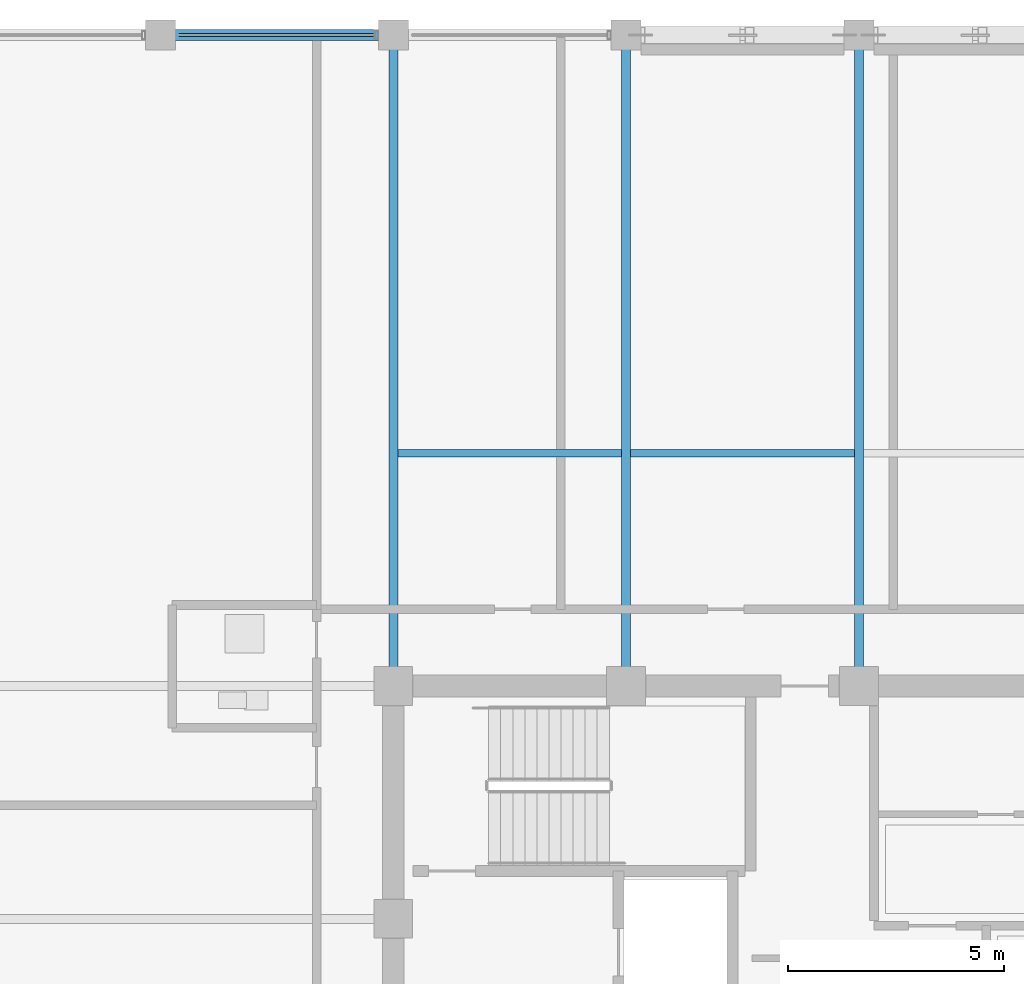
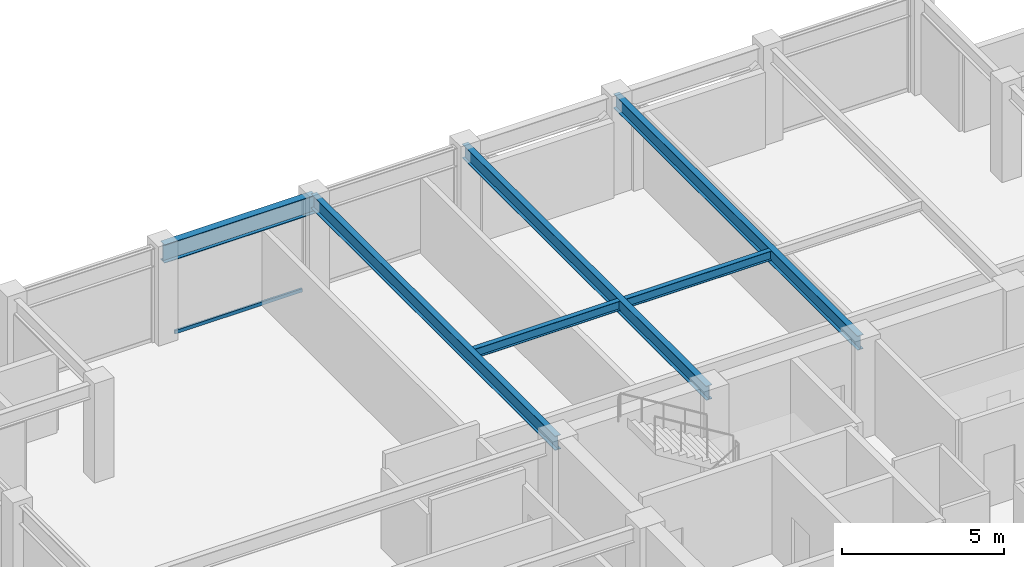
# One storey, part 15 of 31: 6 beams, 1 member, 1 element without a shape of its own.
"""IFC4 building model written with IfcOpenShell, lengths in metres."""

from ifc_helpers import new_model, si_unit, direction, frame, origin, origin_2d, place, context, subcontext, project, spatial, hollow_rectangle, i_section, extrude, material, layer, layer_set, material_profile, profile_set, type_object, element, aggregate, save


model = new_model("IFC4")

# Units and contexts
model_context = context("Model", 3, precision=1e-05, world=origin(), true_north=direction((0.0, 1.0)))
body_context = subcontext(model_context, "Body", "Model", "MODEL_VIEW")
ifc_project = project(units=[si_unit("LENGTHUNIT", "METRE"), si_unit("AREAUNIT", "SQUARE_METRE"), si_unit("VOLUMEUNIT", "CUBIC_METRE"), si_unit("PLANEANGLEUNIT", "RADIAN"), si_unit("MASSUNIT", "GRAM", prefix="KILO")], contexts=[model_context])

# Site, building, storey
site_placement = place(None, origin())
site = spatial("IfcSite", under=ifc_project, at=site_placement, CompositionType="ELEMENT")
building_placement = place(site_placement, origin())
building = spatial("IfcBuilding", under=site, at=building_placement, Name="Surkhivell Harbour Commons", CompositionType="ELEMENT")
storey_placement = place(building_placement, frame((0.0, 0.0, 270.0)))
storey = spatial("IfcBuildingStorey", under=building, at=storey_placement, Name="L70", CompositionType="ELEMENT", Elevation=270.0)

# Beams
ifc_material_1 = material(Name="Steel S355", Category="steel")
ifc_material_profile_1 = material_profile(ifc_material_1, i_section(OverallWidth=0.2099609375, OverallDepth=0.537109375, WebThickness=0.0107421875, FlangeThickness=0.017333984375, at=origin_2d()), Name="UB533x210x101")
ifc_profile_set_1 = profile_set([ifc_material_profile_1], Name="Steel S355")
beam_type_1 = type_object("IfcBeamType", Name="BM-GRD-533B", PredefinedType="BEAM", material=ifc_profile_set_1)
for number, where, z_axis, x_axis, name in (
    (1, (-10.800048828125, 10.800048828125, 3.301513671875), (0.0, 1.0, 0.0), (-1.0, 0.0, 0.0), "L70 Floor Girder (-10.8,10.8)"),
    (2, (-5.39990234375, 10.800048828125, 3.301513671875), (0.0, 1.0, 0.0), (-1.0, 0.0, 0.0), "L70 Floor Girder (-5.4,10.8)"),
    (3, (0.0, 10.800048828125, 3.301513671875), (0.0, 1.0, 0.0), (-1.0, 0.0, 0.0), "L70 Floor Girder (0.0,10.8)"),
):
    element("IfcBeam", number, at=place(storey_placement, frame(where, z_axis=z_axis, x_axis=x_axis)), inside=storey, type_object=beam_type_1, Name=name, PredefinedType="BEAM", context=body_context, shape_type="SweptSolid", body=[
        extrude(i_section(OverallWidth=0.2099609375, OverallDepth=0.537109375, WebThickness=0.0107421875, FlangeThickness=0.017333984375, at=origin_2d()), origin(), (0.0, 0.0, 1.0), 15.099853515625),
    ])
ifc_material_profile_2 = material_profile(ifc_material_1, i_section(OverallWidth=0.172119140625, OverallDepth=0.35791015625, WebThickness=0.008056640625, FlangeThickness=0.012939453125, at=origin_2d()), Name="UB356x171x57")
ifc_profile_set_2 = profile_set([ifc_material_profile_2], Name="Steel S355")
beam_type_2 = type_object("IfcBeamType", Name="BM-JST-356", PredefinedType="JOIST", material=ifc_profile_set_2)
for number, where, z_axis, x_axis, name in (
    (4, (-10.697021484375, 16.199951171875, 3.39111328125), (1.0, 0.0, 0.0), (0.0, 1.0, 0.0), "L70 North Composite Joist (-10.8)"),
    (5, (-5.297119140625, 16.199951171875, 3.39111328125), (1.0, 0.0, 0.0), (0.0, 1.0, 0.0), "L70 North Composite Joist (-5.4)"),
):
    element("IfcBeam", number, at=place(storey_placement, frame(where, z_axis=z_axis, x_axis=x_axis)), inside=storey, type_object=beam_type_2, Name=name, PredefinedType="JOIST", context=body_context, shape_type="SweptSolid", body=[
        extrude(i_section(OverallWidth=0.172119140625, OverallDepth=0.35791015625, WebThickness=0.008056640625, FlangeThickness=0.012939453125, at=origin_2d()), origin(), (0.0, 0.0, 1.0), 5.194091796875),
    ])
ifc_material_profile_3 = material_profile(ifc_material_1, i_section(OverallWidth=0.256103515625, OverallDepth=0.693115234375, WebThickness=0.014404296875, FlangeThickness=0.023681640625, at=origin_2d()), Name="UB686x254x170")
ifc_profile_set_3 = profile_set([ifc_material_profile_3], Name="Steel S355")
beam_type_3 = type_object("IfcBeamType", Name="BM-SPN-686", PredefinedType="SPANDREL", material=ifc_profile_set_3)
beam_placement = place(storey_placement, frame((-16.199951171875, 25.89990234375, 3.223388671875), z_axis=(1.0, 0.0, 0.0), x_axis=(0.0, 1.0, 0.0)))
element("IfcBeam", 6, at=beam_placement, inside=storey, type_object=beam_type_3, Name="L70 Tube Spandrel (-16.2,25.9)", PredefinedType="SPANDREL", context=body_context, shape_type="SweptSolid", body=[
    extrude(i_section(OverallWidth=0.256103515625, OverallDepth=0.693115234375, WebThickness=0.014404296875, FlangeThickness=0.023681640625, at=origin_2d()), origin(), (0.0, 0.0, 1.0), 5.39990234375),
])

# Curtain wall, member
ifc_material_2 = material(Name="Anodised pale-metal aluminium and insulated glazing", Category="aluminium")
ifc_layer = layer(ifc_material_2, 0.175048828125)
ifc_layer_set = layer_set([ifc_layer], Name="Anodised pale-metal aluminium and insulated glazing")
curtain_wall_type = type_object("IfcCurtainWallType", Name="CW-SYS-Z4", PredefinedType="NOTDEFINED", material=ifc_layer_set)
curtain_wall_placement = place(storey_placement, origin())
curtain_wall = element("IfcCurtainWall", 7, at=curtain_wall_placement, inside=storey, type_object=curtain_wall_type, Name="L70 Curtain Wall CW-L70-E07S2", PredefinedType="NOTDEFINED")
ifc_material_3 = material(Name="Champagne anodised aluminium alloy 6063-T6", Category="aluminium")
ifc_material_profile_4 = material_profile(ifc_material_3, hollow_rectangle(XDim=0.070068359375, YDim=0.1298828125, WallThickness=0.00341796875, at=origin_2d()), Name="ALU-TRAN-70x130")
ifc_profile_set_4 = profile_set([ifc_material_profile_4], Name="Champagne anodised aluminium alloy 6063-T6")
member_type = type_object("IfcMemberType", Name="CWT-130", PredefinedType="USERDEFINED", material=ifc_profile_set_4)
member_placement = place(storey_placement, frame((-11.22705078125, 25.89990234375, 0.06494140625), z_axis=(-1.0, 0.0, 0.0), x_axis=(0.0, -1.0, 0.0)))
member = element("IfcMember", 8, at=member_placement, type_object=member_type, Name="CW-Z4 transom 2.1", ObjectType="TRANSOM", PredefinedType="USERDEFINED", context=body_context, shape_type="SweptSolid", body=[
    extrude(hollow_rectangle(XDim=0.070068359375, YDim=0.1298828125, WallThickness=0.00341796875, at=origin_2d()), origin(), (0.0, 0.0, 1.0), 4.5458984375),
])
aggregate(curtain_wall, [member])

save(model, "model.ifc")
